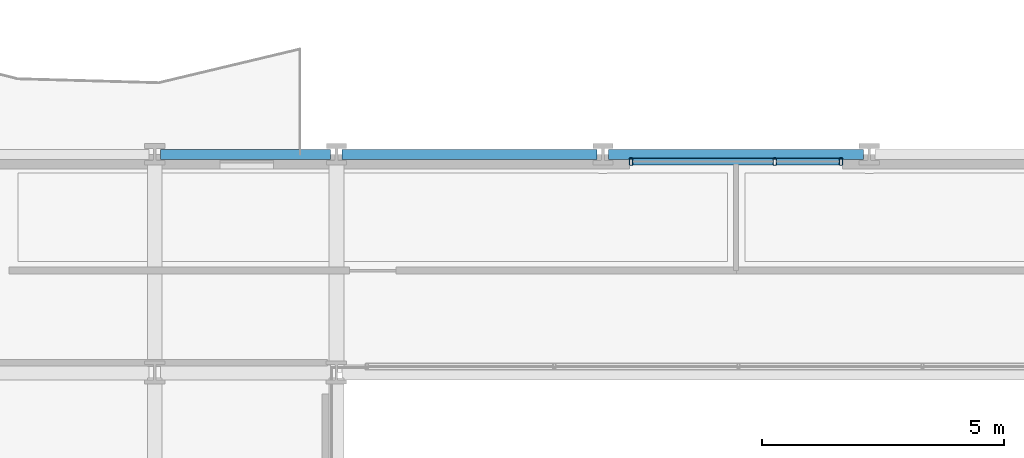
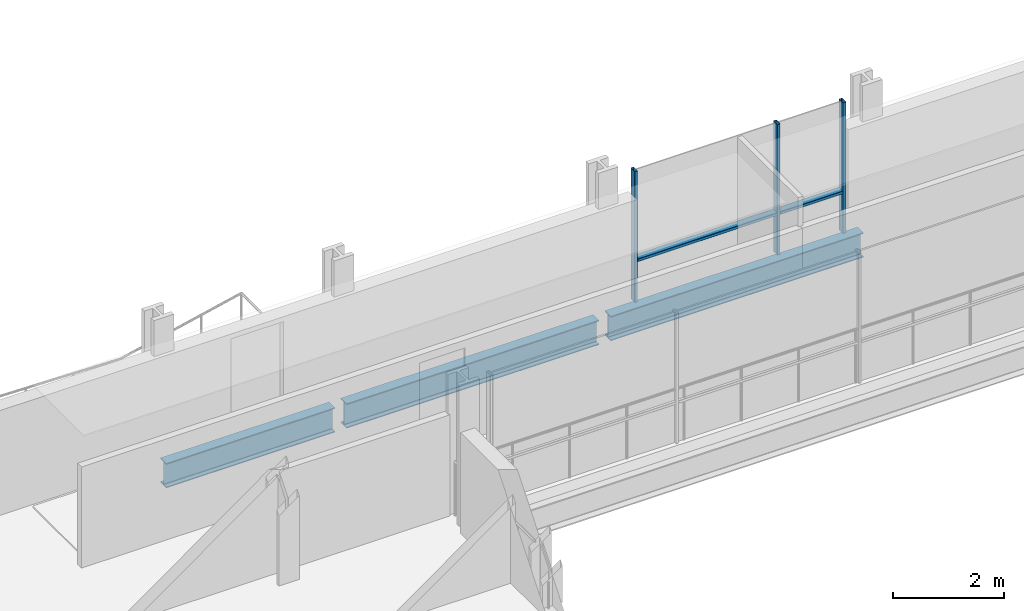
# One storey, part 22 of 41: 5 members, 3 beams, 1 element without a shape of its own.
"""IFC4 building model written with IfcOpenShell, lengths in metres."""

from ifc_helpers import new_model, si_unit, direction, frame, origin, origin_2d, place, context, subcontext, project, spatial, hollow_rectangle, i_section, extrude, material, layer, layer_set, material_profile, profile_set, type_object, element, aggregate, save


model = new_model("IFC4")

# Units and contexts
model_context = context("Model", 3, precision=1e-05, world=origin(), true_north=direction((0.0, 1.0)))
body_context = subcontext(model_context, "Body", "Model", "MODEL_VIEW")
ifc_project = project(units=[si_unit("LENGTHUNIT", "METRE"), si_unit("AREAUNIT", "SQUARE_METRE"), si_unit("VOLUMEUNIT", "CUBIC_METRE"), si_unit("PLANEANGLEUNIT", "RADIAN"), si_unit("MASSUNIT", "GRAM", prefix="KILO")], contexts=[model_context])

# Site, building, storey
site_placement = place(None, origin())
site = spatial("IfcSite", under=ifc_project, at=site_placement, CompositionType="ELEMENT")
building_placement = place(site_placement, origin())
building = spatial("IfcBuilding", under=site, at=building_placement, Name="Brevholm Reach", CompositionType="ELEMENT")
storey_placement = place(building_placement, frame((0.0, 0.0, 43.5)))
storey = spatial("IfcBuildingStorey", under=building, at=storey_placement, Name="L11", CompositionType="ELEMENT", Elevation=43.5)

# Beams
ifc_material_1 = material(Name="Structural Steel S355J2", Category="steel")
ifc_material_profile_1 = material_profile(ifc_material_1, i_section(OverallWidth=0.210693359375, OverallDepth=0.53955078125, WebThickness=0.01171875, FlangeThickness=0.018798828125, FilletRadius=0.0126953125, at=origin_2d()), Name="UKB 533x210x109")
ifc_profile_set_1 = profile_set([ifc_material_profile_1], Name="Structural Steel S355J2")
beam_type = type_object("IfcBeamType", Name="BM-SP539", PredefinedType="SPANDREL", material=ifc_profile_set_1)
beam_placement = place(storey_placement, frame((18.1201171875, 31.0, -0.499755859375), z_axis=(1.0, 0.0, 0.0), x_axis=(0.0, 1.0, 0.0)))
element("IfcBeam", 1, at=beam_placement, inside=storey, type_object=beam_type, Name="L11 SP-01B Framing Beam", PredefinedType="SPANDREL", context=body_context, shape_type="SweptSolid", body=[
    extrude(i_section(OverallWidth=0.210693359375, OverallDepth=0.53955078125, WebThickness=0.01171875, FlangeThickness=0.018798828125, FilletRadius=0.0126953125, at=origin_2d()), origin(), (0.0, 0.0, 1.0), 3.509765625),
])
for number, where, z_axis, x_axis, name in (
    (2, (21.8701171875, 31.0, -0.499755859375), (1.0, 0.0, 0.0), (0.0, 1.0, 0.0), "L11 SP-01B Framing Beam"),
    (3, (27.3701171875, 31.0, -0.499755859375), (1.0, 0.0, 0.0), (0.0, 1.0, 0.0), "L11 SP-01B Framing Beam"),
):
    element("IfcBeam", number, at=place(storey_placement, frame(where, z_axis=z_axis, x_axis=x_axis)), inside=storey, type_object=beam_type, Name=name, PredefinedType="SPANDREL", context=body_context, shape_type="SweptSolid", body=[
        extrude(i_section(OverallWidth=0.210693359375, OverallDepth=0.53955078125, WebThickness=0.01171875, FlangeThickness=0.018798828125, FilletRadius=0.0126953125, at=origin_2d()), origin(), (0.0, 0.0, 1.0), 5.259765625),
    ])

# Curtain wall, members
ifc_material_2 = material(Name="Dark Anodised Aluminium 6063-T6 and Solar-Control Glass", Category="aluminium")
ifc_layer = layer(ifc_material_2, 0.14990234375)
ifc_layer_set = layer_set([ifc_layer], Name="Dark Anodised Aluminium 6063-T6 and Solar-Control Glass")
curtain_wall_type = type_object("IfcCurtainWallType", Name="CW-01", PredefinedType="NOTDEFINED", material=ifc_layer_set)
curtain_wall_placement = place(storey_placement, origin())
curtain_wall = element("IfcCurtainWall", 4, at=curtain_wall_placement, inside=storey, type_object=curtain_wall_type, Name="L11 Curtain Wall CW-01", PredefinedType="NOTDEFINED")
ifc_material_3 = material(Name="Dark Anodised Aluminium 6063-T6", Category="aluminium")
ifc_material_profile_2 = material_profile(ifc_material_3, hollow_rectangle(XDim=0.06494140625, YDim=0.14990234375, WallThickness=0.0048828125, InnerFilletRadius=0.0048828125, OuterFilletRadius=0.010009765625, at=origin_2d()), Name="RHS 150x65x5")
ifc_profile_set_2 = profile_set([ifc_material_profile_2], Name="Dark Anodised Aluminium 6063-T6")
member_type_1 = type_object("IfcMemberType", Name="CWM-150", PredefinedType="MULLION", material=ifc_profile_set_2)
member_1_placement = place(storey_placement, frame((27.83251953125, 30.85009765625, 0.0), z_axis=(0.0, 0.0, 1.0), x_axis=(1.0, 0.0, 0.0)))
member_1 = element("IfcMember", 5, at=member_1_placement, type_object=member_type_1, Name="CM-150 Mullion 1", PredefinedType="MULLION", context=body_context, shape_type="SweptSolid", body=[
    extrude(hollow_rectangle(XDim=0.06494140625, YDim=0.14990234375, WallThickness=0.0048828125, InnerFilletRadius=0.0048828125, OuterFilletRadius=0.010009765625, at=origin_2d()), origin(), (0.0, 0.0, 1.0), 2.8701171875),
])
member_2_placement = place(storey_placement, frame((30.800048828125, 30.85009765625, 0.0), z_axis=(0.0, 0.0, 1.0), x_axis=(1.0, 0.0, 0.0)))
member_2 = element("IfcMember", 6, at=member_2_placement, type_object=member_type_1, Name="CM-150 Mullion 2", PredefinedType="MULLION", context=body_context, shape_type="SweptSolid", body=[
    extrude(hollow_rectangle(XDim=0.06494140625, YDim=0.14990234375, WallThickness=0.0048828125, InnerFilletRadius=0.0048828125, OuterFilletRadius=0.010009765625, at=origin_2d()), origin(), (0.0, 0.0, 1.0), 2.8701171875),
])
member_3_placement = place(storey_placement, frame((32.16748046875, 30.85009765625, 0.0), z_axis=(0.0, 0.0, 1.0), x_axis=(1.0, 0.0, 0.0)))
member_3 = element("IfcMember", 7, at=member_3_placement, type_object=member_type_1, Name="CM-150 Mullion 3", PredefinedType="MULLION", context=body_context, shape_type="SweptSolid", body=[
    extrude(hollow_rectangle(XDim=0.06494140625, YDim=0.14990234375, WallThickness=0.0048828125, InnerFilletRadius=0.0048828125, OuterFilletRadius=0.010009765625, at=origin_2d()), origin(), (0.0, 0.0, 1.0), 2.8701171875),
])
ifc_material_4 = material(Name="Dark Anodised Aluminium 6063-T6", Category="aluminium")
ifc_material_profile_3 = material_profile(ifc_material_4, hollow_rectangle(XDim=0.06494140625, YDim=0.14990234375, WallThickness=0.0048828125, InnerFilletRadius=0.0048828125, OuterFilletRadius=0.010009765625, at=origin_2d()), Name="RHS 150x65x5")
ifc_profile_set_3 = profile_set([ifc_material_profile_3], Name="Dark Anodised Aluminium 6063-T6")
member_type_2 = type_object("IfcMemberType", Name="CWT-150", PredefinedType="NOTDEFINED", material=ifc_profile_set_3)
member_4_placement = place(storey_placement, frame((27.864990234375, 30.85009765625, 0.89990234375), z_axis=(1.0, 0.0, 0.0), x_axis=(0.0, 0.0, 1.0)))
member_4 = element("IfcMember", 8, at=member_4_placement, type_object=member_type_2, Name="CT-150 Transom 1.1", ObjectType="TRANSOM", PredefinedType="USERDEFINED", context=body_context, shape_type="SweptSolid", body=[
    extrude(hollow_rectangle(XDim=0.06494140625, YDim=0.14990234375, WallThickness=0.0048828125, InnerFilletRadius=0.0048828125, OuterFilletRadius=0.010009765625, at=origin_2d()), origin(), (0.0, 0.0, 1.0), 2.902587890625),
])
member_5_placement = place(storey_placement, frame((30.83251953125, 30.85009765625, 0.89990234375), z_axis=(1.0, 0.0, 0.0), x_axis=(0.0, 0.0, 1.0)))
member_5 = element("IfcMember", 9, at=member_5_placement, type_object=member_type_2, Name="CT-150 Transom 2.1", ObjectType="TRANSOM", PredefinedType="USERDEFINED", context=body_context, shape_type="SweptSolid", body=[
    extrude(hollow_rectangle(XDim=0.06494140625, YDim=0.14990234375, WallThickness=0.0048828125, InnerFilletRadius=0.0048828125, OuterFilletRadius=0.010009765625, at=origin_2d()), origin(), (0.0, 0.0, 1.0), 1.302490234375),
])
aggregate(curtain_wall, [member_1, member_2, member_3, member_4, member_5])

save(model, "model.ifc")
